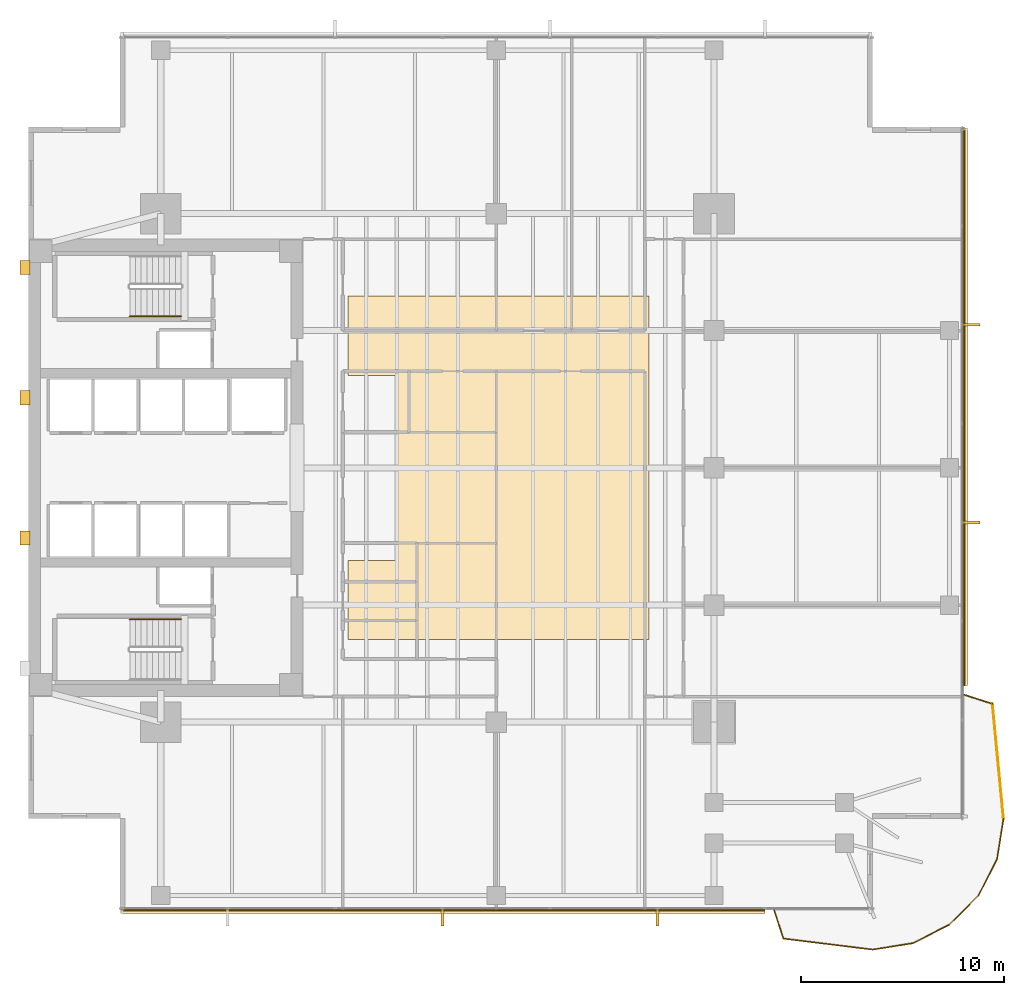
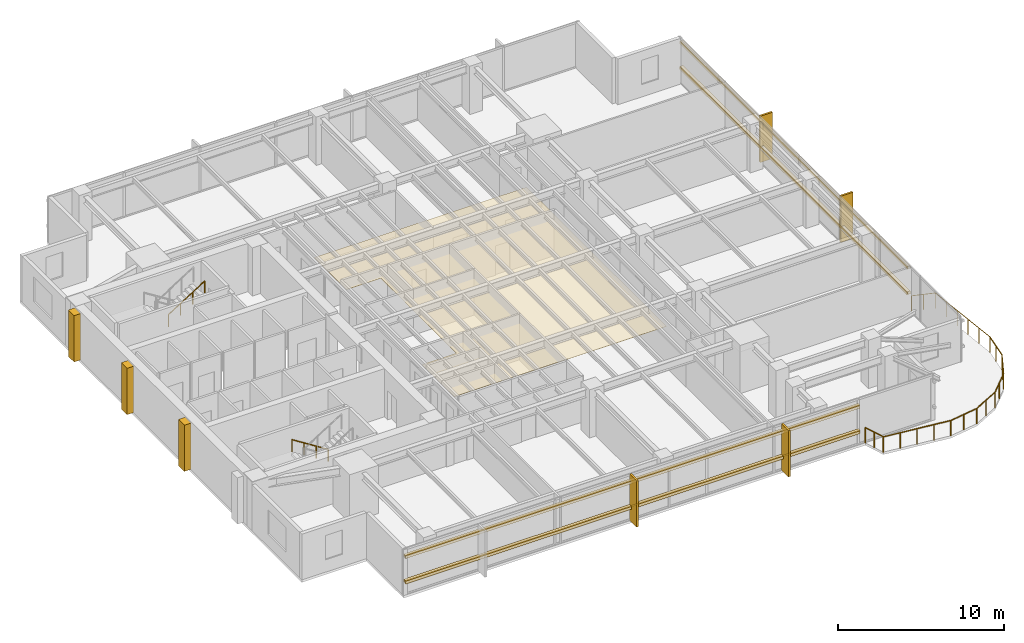
# One storey, part 12 of 14: 12 coverings, 11 railings, 4 shading devices.
"""IFC4 building model written with IfcOpenShell, lengths in metres."""

from ifc_helpers import new_model, si_unit, direction, frame, origin, origin_2d, place, context, subcontext, project, spatial, polyline, rectangle, circle, outline, extrude, material, layer, layer_set, material_profile, profile_set, type_object, element, save


model = new_model("IFC4")

# Units and contexts
model_context = context("Model", 3, precision=1e-05, world=origin(), true_north=direction((0.0, 1.0)))
body_context = subcontext(model_context, "Body", "Model", "MODEL_VIEW")
ifc_project = project(units=[si_unit("LENGTHUNIT", "METRE"), si_unit("AREAUNIT", "SQUARE_METRE"), si_unit("VOLUMEUNIT", "CUBIC_METRE"), si_unit("PLANEANGLEUNIT", "RADIAN"), si_unit("MASSUNIT", "GRAM", prefix="KILO")], contexts=[model_context])

# Site, building, storey
site_placement = place(None, origin())
site = spatial("IfcSite", under=ifc_project, at=site_placement, CompositionType="ELEMENT")
building_placement = place(site_placement, origin())
building = spatial("IfcBuilding", under=site, at=building_placement, Name="Kinhvarn Gate Tower", CompositionType="ELEMENT")
storey_placement = place(building_placement, frame((0.0, 0.0, 151.949951171875)))
storey = spatial("IfcBuildingStorey", under=building, at=storey_placement, Name="L40", CompositionType="ELEMENT", Elevation=151.949951171875)

# Coverings
ifc_material_1 = material(Name="Fired architectural terracotta", Category="masonry")
ifc_layer_1 = layer(ifc_material_1, 0.239990234375)
ifc_layer_set_1 = layer_set([ifc_layer_1], Name="Fired architectural terracotta")
covering_type_1 = type_object("IfcCoveringType", Name="COV-BAG-220", PredefinedType="CLADDING", material=ifc_layer_set_1)
covering_1_placement = place(storey_placement, frame((0.0, 0.0, 0.93994140625)))
element("IfcCovering", 1, at=covering_1_placement, inside=storey, type_object=covering_type_1, Name="Terracotta Horizontal Sunscreen Band TBG-220 (L40)", PredefinedType="CLADDING", context=body_context, shape_type="SweptSolid", body=[
    extrude(outline(polyline([(9.0400390625, 3.570068359375), (40.708984375, 3.570068359375), (40.708984375, 3.330078125), (9.0400390625, 3.330078125), (9.0400390625, 3.570068359375)])), origin(), (0.0, 0.0, 1.0), 0.22021484375),
])
covering_2_placement = place(storey_placement, frame((0.0, 0.0, 2.81005859375)))
element("IfcCovering", 2, at=covering_2_placement, inside=storey, type_object=covering_type_1, Name="Terracotta Horizontal Sunscreen Band TBG-220 (L40)", PredefinedType="CLADDING", context=body_context, shape_type="SweptSolid", body=[
    extrude(outline(polyline([(9.0400390625, 3.570068359375), (40.708984375, 3.570068359375), (40.708984375, 3.330078125), (9.0400390625, 3.330078125), (9.0400390625, 3.570068359375)])), origin(), (0.0, 0.0, 1.0), 0.219970703125),
])
covering_3_placement = place(storey_placement, frame((0.0, 0.0, 0.93994140625)))
element("IfcCovering", 3, at=covering_3_placement, inside=storey, type_object=covering_type_1, Name="Terracotta Horizontal Sunscreen Band TBG-220 (L40)", PredefinedType="CLADDING", context=body_context, shape_type="SweptSolid", body=[
    extrude(outline(polyline([(50.429931640625, 14.549072265625), (50.429931640625, 41.9599609375), (50.669921875, 41.9599609375), (50.669921875, 14.549072265625), (50.429931640625, 14.549072265625)])), origin(), (0.0, 0.0, 1.0), 0.22021484375),
])
covering_4_placement = place(storey_placement, frame((0.0, 0.0, 2.81005859375)))
element("IfcCovering", 4, at=covering_4_placement, inside=storey, type_object=covering_type_1, Name="Terracotta Horizontal Sunscreen Band TBG-220 (L40)", PredefinedType="CLADDING", context=body_context, shape_type="SweptSolid", body=[
    extrude(outline(polyline([(50.429931640625, 14.549072265625), (50.429931640625, 41.9599609375), (50.669921875, 41.9599609375), (50.669921875, 14.549072265625), (50.429931640625, 14.549072265625)])), origin(), (0.0, 0.0, 1.0), 0.219970703125),
])
ifc_material_2 = material(Name="Mineral-fibre acoustic ceiling tile")
ifc_layer_2 = layer(ifc_material_2, 0.02001953125)
ifc_layer_set_2 = layer_set([ifc_layer_2], Name="Mineral-fibre acoustic ceiling tile")
covering_type_2 = type_object("IfcCoveringType", Name="COV-CEIL-20", PredefinedType="CEILING", material=ifc_layer_set_2)
covering_5_placement = place(storey_placement, frame((0.0, 0.0, 2.650146484375)))
element("IfcCovering", 5, at=covering_5_placement, inside=storey, type_object=covering_type_2, Name="Suspended Acoustic Ceiling Tile (L40-1)", PredefinedType="CEILING", context=body_context, shape_type="SweptSolid", body=[
    extrude(outline(polyline([(35.0, 33.699951171875), (35.0, 16.800048828125), (20.199951171875, 16.800048828125), (20.199951171875, 20.699951171875), (22.60009765625, 20.699951171875), (22.60009765625, 29.800048828125), (20.199951171875, 29.800048828125), (20.199951171875, 33.699951171875), (35.0, 33.699951171875)])), origin(), (0.0, 0.0, 1.0), 0.02001953125),
])
ifc_layer_3 = layer(ifc_material_1, 0.139892578125)
ifc_layer_set_3 = layer_set([ifc_layer_3], Name="Fired architectural terracotta")
covering_type_3 = type_object("IfcCoveringType", Name="COV-FIN-850", PredefinedType="CLADDING", material=ifc_layer_set_3)
covering_6_placement = place(storey_placement, frame((0.0, 0.0, -0.02001953125)))
element("IfcCovering", 6, at=covering_6_placement, inside=storey, type_object=covering_type_3, Name="Vertical Terracotta Expressive Fin TFN-850 (L40)", PredefinedType="CLADDING", context=body_context, shape_type="SweptSolid", body=[
    extrude(outline(polyline([(24.787109375, 3.580078125), (24.927001953125, 3.580078125), (24.927001953125, 2.72998046875), (24.787109375, 2.72998046875), (24.787109375, 3.580078125)])), origin(), (0.0, 0.0, 1.0), 3.41015625),
])
covering_7_placement = place(storey_placement, frame((0.0, 0.0, -0.02001953125)))
element("IfcCovering", 7, at=covering_7_placement, inside=storey, type_object=covering_type_3, Name="Vertical Terracotta Expressive Fin TFN-850 (L40)", PredefinedType="CLADDING", context=body_context, shape_type="SweptSolid", body=[
    extrude(outline(polyline([(35.358642578125, 3.580078125), (35.49853515625, 3.580078125), (35.49853515625, 2.72998046875), (35.358642578125, 2.72998046875), (35.358642578125, 3.580078125)])), origin(), (0.0, 0.0, 1.0), 3.41015625),
])
covering_8_placement = place(storey_placement, frame((0.0, 0.0, -0.02001953125)))
element("IfcCovering", 8, at=covering_8_placement, inside=storey, type_object=covering_type_3, Name="Vertical Terracotta Expressive Fin TFN-850 (L40)", PredefinedType="CLADDING", context=body_context, shape_type="SweptSolid", body=[
    extrude(outline(polyline([(50.419921875, 22.50146484375), (50.419921875, 22.641357421875), (51.27001953125, 22.641357421875), (51.27001953125, 22.50146484375), (50.419921875, 22.50146484375)])), origin(), (0.0, 0.0, 1.0), 3.41015625),
])
covering_9_placement = place(storey_placement, frame((0.0, 0.0, -0.02001953125)))
element("IfcCovering", 9, at=covering_9_placement, inside=storey, type_object=covering_type_3, Name="Vertical Terracotta Expressive Fin TFN-850 (L40)", PredefinedType="CLADDING", context=body_context, shape_type="SweptSolid", body=[
    extrude(outline(polyline([(50.419921875, 32.2158203125), (50.419921875, 32.355712890625), (51.27001953125, 32.355712890625), (51.27001953125, 32.2158203125), (50.419921875, 32.2158203125)])), origin(), (0.0, 0.0, 1.0), 3.41015625),
])
ifc_material_3 = material(Name="Precast white architectural concrete C40/50", Category="concrete")
ifc_layer_4 = layer(ifc_material_3, 0.47998046875)
ifc_layer_set_4 = layer_set([ifc_layer_4], Name="Precast white architectural concrete C40/50")
covering_type_4 = type_object("IfcCoveringType", Name="COV-RIB-450", PredefinedType="CLADDING", material=ifc_layer_set_4)
covering_10_placement = place(storey_placement, frame((0.0, 0.0, -0.02001953125)))
element("IfcCovering", 10, at=covering_10_placement, inside=storey, type_object=covering_type_4, Name="West Core Sculptural Concrete Relief Rib CRB-450 (L40)", PredefinedType="CLADDING", context=body_context, shape_type="SweptSolid", body=[
    extrude(outline(polyline([(4.080078125, 21.449951171875), (4.56005859375, 21.449951171875), (4.56005859375, 22.14990234375), (4.080078125, 22.14990234375), (4.080078125, 21.449951171875)])), origin(), (0.0, 0.0, 1.0), 3.41015625),
])
covering_11_placement = place(storey_placement, frame((0.0, 0.0, -0.02001953125)))
element("IfcCovering", 11, at=covering_11_placement, inside=storey, type_object=covering_type_4, Name="West Core Sculptural Concrete Relief Rib CRB-450 (L40)", PredefinedType="CLADDING", context=body_context, shape_type="SweptSolid", body=[
    extrude(outline(polyline([(4.080078125, 28.35009765625), (4.56005859375, 28.35009765625), (4.56005859375, 29.050048828125), (4.080078125, 29.050048828125), (4.080078125, 28.35009765625)])), origin(), (0.0, 0.0, 1.0), 3.41015625),
])
covering_12_placement = place(storey_placement, frame((0.0, 0.0, -0.02001953125)))
element("IfcCovering", 12, at=covering_12_placement, inside=storey, type_object=covering_type_4, Name="West Core Sculptural Concrete Relief Rib CRB-450 (L40)", PredefinedType="CLADDING", context=body_context, shape_type="SweptSolid", body=[
    extrude(outline(polyline([(4.080078125, 34.75), (4.56005859375, 34.75), (4.56005859375, 35.449951171875), (4.080078125, 35.449951171875), (4.080078125, 34.75)])), origin(), (0.0, 0.0, 1.0), 3.41015625),
])

# Railings
ifc_material_4 = material(Name="Clear low-e double glazing", Category="glass")
railing_type_1 = type_object("IfcRailingType", Name="RL-BAL-1150", PredefinedType="BALUSTRADE", material=ifc_material_4)
railing_1_placement = place(storey_placement, frame((41.158935546875, 3.5, 0.0)))
element("IfcRailing", 13, at=railing_1_placement, inside=storey, type_object=railing_type_1, Name="S-Carve Balcony Guardrail Seg 1 (L40)", PredefinedType="BALUSTRADE", context=body_context, shape_type="SweptSolid", body=[
    extrude(circle(Radius=0.02392578125, at=origin_2d()), frame((0.0, 0.0, 1.1259765625), z_axis=(0.307066063569, -0.951688201358, 0.0), x_axis=(0.951688201358, 0.307066063569, 0.0)), (0.0, 0.0, 1.0), 1.46533203125),
    extrude(circle(Radius=0.02099609375, at=origin_2d()), origin(), (0.0, 0.0, 1.0), 1.101806640625),
    extrude(circle(Radius=0.02099609375, at=origin_2d()), frame((0.22509765625, -0.697265625, 0.0)), (0.0, 0.0, 1.0), 1.101806640625),
    extrude(circle(Radius=0.02099609375, at=origin_2d()), frame((0.449951171875, -1.39453125, 0.0)), (0.0, 0.0, 1.0), 1.101806640625),
])
railing_2_placement = place(storey_placement, frame((41.60888671875, 2.10546875, 0.0)))
element("IfcRailing", 14, at=railing_2_placement, inside=storey, type_object=railing_type_1, Name="S-Carve Balcony Guardrail Seg 2 (L40)", PredefinedType="BALUSTRADE", context=body_context, shape_type="SweptSolid", body=[
    extrude(circle(Radius=0.02392578125, at=origin_2d()), frame((0.0, 0.0, 1.1259765625), z_axis=(0.992455123441, -0.122608433464, 0.0), x_axis=(0.122608433464, 0.992455123441, 0.0)), (0.0, 0.0, 1.0), 4.424560546875),
    extrude(circle(Radius=0.02099609375, at=origin_2d()), origin(), (0.0, 0.0, 1.0), 1.101806640625),
    extrude(circle(Radius=0.02099609375, at=origin_2d()), frame((1.09765625, -0.1357421875, 0.0)), (0.0, 0.0, 1.0), 1.101806640625),
    extrude(circle(Radius=0.02099609375, at=origin_2d()), frame((2.195556640625, -0.271240234375, 0.0)), (0.0, 0.0, 1.0), 1.101806640625),
    extrude(circle(Radius=0.02099609375, at=origin_2d()), frame((3.29345703125, -0.40673828125, 0.0)), (0.0, 0.0, 1.0), 1.101806640625),
    extrude(circle(Radius=0.02099609375, at=origin_2d()), frame((4.39111328125, -0.54248046875, 0.0)), (0.0, 0.0, 1.0), 1.101806640625),
])
railing_3_placement = place(storey_placement, frame((46.0, 1.56298828125, 0.0)))
element("IfcRailing", 15, at=railing_3_placement, inside=storey, type_object=railing_type_1, Name="S-Carve Balcony Guardrail Seg 3 (L40)", PredefinedType="BALUSTRADE", context=body_context, shape_type="SweptSolid", body=[
    extrude(circle(Radius=0.02392578125, at=origin_2d()), frame((0.0, 0.0, 1.1259765625), z_axis=(0.987695046303, 0.156392120993, 0.0), x_axis=(-0.156392120993, 0.987695046303, 0.0)), (0.0, 0.0, 1.0), 2.013671875),
    extrude(circle(Radius=0.02099609375, at=origin_2d()), origin(), (0.0, 0.0, 1.0), 1.101806640625),
    extrude(circle(Radius=0.02099609375, at=origin_2d()), frame((0.99462890625, 0.157470703125, 0.0)), (0.0, 0.0, 1.0), 1.101806640625),
    extrude(circle(Radius=0.02099609375, at=origin_2d()), frame((1.989013671875, 0.31494140625, 0.0)), (0.0, 0.0, 1.0), 1.101806640625),
])
railing_4_placement = place(storey_placement, frame((47.989013671875, 1.8779296875, 0.0)))
element("IfcRailing", 16, at=railing_4_placement, inside=storey, type_object=railing_type_1, Name="S-Carve Balcony Guardrail Seg 4 (L40)", PredefinedType="BALUSTRADE", context=body_context, shape_type="SweptSolid", body=[
    extrude(circle(Radius=0.02392578125, at=origin_2d()), frame((0.0, 0.0, 1.1259765625), z_axis=(0.890983066635, 0.454036534841, 0.0), x_axis=(-0.454036534841, 0.890983066635, 0.0)), (0.0, 0.0, 1.0), 2.01416015625),
    extrude(circle(Radius=0.02099609375, at=origin_2d()), origin(), (0.0, 0.0, 1.0), 1.101806640625),
    extrude(circle(Radius=0.02099609375, at=origin_2d()), frame((0.8974609375, 0.457275390625, 0.0)), (0.0, 0.0, 1.0), 1.101806640625),
    extrude(circle(Radius=0.02099609375, at=origin_2d()), frame((1.794677734375, 0.91455078125, 0.0)), (0.0, 0.0, 1.0), 1.101806640625),
])
railing_5_placement = place(storey_placement, frame((49.78369140625, 2.79248046875, 0.0)))
element("IfcRailing", 17, at=railing_5_placement, inside=storey, type_object=railing_type_1, Name="S-Carve Balcony Guardrail Seg 5 (L40)", PredefinedType="BALUSTRADE", context=body_context, shape_type="SweptSolid", body=[
    extrude(circle(Radius=0.02392578125, at=origin_2d()), frame((0.0, 0.0, 1.1259765625), z_axis=(0.707106781187, 0.707106781187, 0.0), x_axis=(-0.707106781187, 0.707106781187, 0.0)), (0.0, 0.0, 1.0), 2.013671875),
    extrude(circle(Radius=0.02099609375, at=origin_2d()), origin(), (0.0, 0.0, 1.0), 1.101806640625),
    extrude(circle(Radius=0.02099609375, at=origin_2d()), frame((0.7119140625, 0.7119140625, 0.0)), (0.0, 0.0, 1.0), 1.101806640625),
    extrude(circle(Radius=0.02099609375, at=origin_2d()), frame((1.423828125, 1.423828125, 0.0)), (0.0, 0.0, 1.0), 1.101806640625),
])
railing_6_placement = place(storey_placement, frame((51.20751953125, 4.21630859375, 0.0)))
element("IfcRailing", 18, at=railing_6_placement, inside=storey, type_object=railing_type_1, Name="S-Carve Balcony Guardrail Seg 6 (L40)", PredefinedType="BALUSTRADE", context=body_context, shape_type="SweptSolid", body=[
    extrude(circle(Radius=0.02392578125, at=origin_2d()), frame((0.0, 0.0, 1.1259765625), z_axis=(0.454036534841, 0.890983066635, 0.0), x_axis=(-0.890983066635, 0.454036534841, 0.0)), (0.0, 0.0, 1.0), 2.01416015625),
    extrude(circle(Radius=0.02099609375, at=origin_2d()), origin(), (0.0, 0.0, 1.0), 1.101806640625),
    extrude(circle(Radius=0.02099609375, at=origin_2d()), frame((0.457275390625, 0.8974609375, 0.0)), (0.0, 0.0, 1.0), 1.101806640625),
    extrude(circle(Radius=0.02099609375, at=origin_2d()), frame((0.91455078125, 1.794677734375, 0.0)), (0.0, 0.0, 1.0), 1.101806640625),
])
railing_7_placement = place(storey_placement, frame((52.1220703125, 6.010986328125, 0.0)))
element("IfcRailing", 19, at=railing_7_placement, inside=storey, type_object=railing_type_1, Name="S-Carve Balcony Guardrail Seg 7 (L40)", PredefinedType="BALUSTRADE", context=body_context, shape_type="SweptSolid", body=[
    extrude(circle(Radius=0.02392578125, at=origin_2d()), frame((0.0, 0.0, 1.1259765625), z_axis=(0.156392120993, 0.987695046303, 0.0), x_axis=(-0.987695046303, 0.156392120993, 0.0)), (0.0, 0.0, 1.0), 2.013671875),
    extrude(circle(Radius=0.02099609375, at=origin_2d()), origin(), (0.0, 0.0, 1.0), 1.101806640625),
    extrude(circle(Radius=0.02099609375, at=origin_2d()), frame((0.157470703125, 0.99462890625, 0.0)), (0.0, 0.0, 1.0), 1.101806640625),
    extrude(circle(Radius=0.02099609375, at=origin_2d()), frame((0.31494140625, 1.989013671875, 0.0)), (0.0, 0.0, 1.0), 1.101806640625),
])
railing_8_placement = place(storey_placement, frame((52.43701171875, 8.0, 0.0)))
element("IfcRailing", 20, at=railing_8_placement, inside=storey, type_object=railing_type_1, Name="S-Carve Balcony Guardrail Seg 8 (L40)", PredefinedType="BALUSTRADE", context=body_context, shape_type="SweptSolid", body=[
    extrude(circle(Radius=0.02392578125, at=origin_2d()), frame((0.0, 0.0, 1.1259765625), z_axis=(-0.095592722684, 0.995420529912, 0.0), x_axis=(-0.995420529912, -0.095592722684, 0.0)), (0.0, 0.0, 1.0), 5.6748046875),
    extrude(circle(Radius=0.02099609375, at=origin_2d()), origin(), (0.0, 0.0, 1.0), 1.101806640625),
    extrude(circle(Radius=0.02099609375, at=origin_2d()), frame((-0.1083984375, 1.1298828125, 0.0)), (0.0, 0.0, 1.0), 1.101806640625),
    extrude(circle(Radius=0.02099609375, at=origin_2d()), frame((-0.217041015625, 2.259521484375, 0.0)), (0.0, 0.0, 1.0), 1.101806640625),
    extrude(circle(Radius=0.02099609375, at=origin_2d()), frame((-0.325439453125, 3.389404296875, 0.0)), (0.0, 0.0, 1.0), 1.101806640625),
    extrude(circle(Radius=0.02099609375, at=origin_2d()), frame((-0.43408203125, 4.51904296875, 0.0)), (0.0, 0.0, 1.0), 1.101806640625),
    extrude(circle(Radius=0.02099609375, at=origin_2d()), frame((-0.54248046875, 5.64892578125, 0.0)), (0.0, 0.0, 1.0), 1.101806640625),
])
railing_9_placement = place(storey_placement, frame((51.89453125, 13.64892578125, 0.0)))
element("IfcRailing", 21, at=railing_9_placement, inside=storey, type_object=railing_type_1, Name="S-Carve Balcony Guardrail Seg 9 (L40)", PredefinedType="BALUSTRADE", context=body_context, shape_type="SweptSolid", body=[
    extrude(circle(Radius=0.02392578125, at=origin_2d()), frame((0.0, 0.0, 1.1259765625), z_axis=(-0.951639502648, 0.307216954286, 0.0), x_axis=(-0.307216954286, -0.951639502648, 0.0)), (0.0, 0.0, 1.0), 1.46533203125),
    extrude(circle(Radius=0.02099609375, at=origin_2d()), origin(), (0.0, 0.0, 1.0), 1.101806640625),
    extrude(circle(Radius=0.02099609375, at=origin_2d()), frame((-0.697265625, 0.22509765625, 0.0)), (0.0, 0.0, 1.0), 1.101806640625),
    extrude(circle(Radius=0.02099609375, at=origin_2d()), frame((-1.39453125, 0.4501953125, 0.0)), (0.0, 0.0, 1.0), 1.101806640625),
])
ifc_material_5 = material(Name="Steel S355", Category="steel")
railing_type_2 = type_object("IfcRailingType", Name="RL-ST-HND", PredefinedType="HANDRAIL", material=ifc_material_5)
railing_10_placement = place(storey_placement, frame((12.0, 17.800048828125, 0.177490234375)))
element("IfcRailing", 22, at=railing_10_placement, inside=storey, type_object=railing_type_2, Name="L40 ST1 stair handrail 1", PredefinedType="HANDRAIL", context=body_context, shape_type="SweptSolid", body=[
    extrude(circle(Radius=0.02392578125, at=origin_2d()), frame((0.0, 0.0, 0.8759765625), z_axis=(-0.84456994832, 0.0, 0.535445237532), x_axis=(0.0, -1.0, 0.0)), (0.0, 0.0, 1.0), 2.98388671875),
    extrude(circle(Radius=0.02099609375, at=origin_2d()), origin(), (0.0, 0.0, 1.0), 0.851806640625),
    extrude(circle(Radius=0.02099609375, at=origin_2d()), frame((-0.840087890625, 0.0, 0.532470703125)), (0.0, 0.0, 1.0), 0.851806640625),
    extrude(circle(Radius=0.02099609375, at=origin_2d()), frame((-1.679931640625, 0.0, 1.065185546875)), (0.0, 0.0, 1.0), 0.851806640625),
    extrude(circle(Radius=0.02099609375, at=origin_2d()), frame((-2.52001953125, 0.0, 1.59765625)), (0.0, 0.0, 1.0), 0.851806640625),
])
railing_11_placement = place(storey_placement, frame((9.47998046875, 32.699951171875, 1.95263671875)))
element("IfcRailing", 23, at=railing_11_placement, inside=storey, type_object=railing_type_2, Name="L40 ST2 stair handrail 2", PredefinedType="HANDRAIL", context=body_context, shape_type="SweptSolid", body=[
    extrude(circle(Radius=0.02392578125, at=origin_2d()), frame((0.0, 0.0, 0.8759765625), z_axis=(0.84460694969, 0.0, 0.535386869969), x_axis=(0.0, 1.0, 0.0)), (0.0, 0.0, 1.0), 2.983642578125),
    extrude(circle(Radius=0.02099609375, at=origin_2d()), origin(), (0.0, 0.0, 1.0), 0.851806640625),
    extrude(circle(Radius=0.02099609375, at=origin_2d()), frame((0.840087890625, 0.0, 0.532470703125)), (0.0, 0.0, 1.0), 0.851806640625),
    extrude(circle(Radius=0.02099609375, at=origin_2d()), frame((1.679931640625, 0.0, 1.06494140625)), (0.0, 0.0, 1.0), 0.851806640625),
    extrude(circle(Radius=0.02099609375, at=origin_2d()), frame((2.52001953125, 0.0, 1.597412109375)), (0.0, 0.0, 1.0), 0.851806640625),
])

# Shading devices
ifc_material_profile = material_profile(ifc_material_1, rectangle(XDim=0.050048828125, YDim=0.1201171875, at=origin_2d()), Name="TC 50x120")
ifc_profile_set = profile_set([ifc_material_profile], Name="Fired architectural terracotta")
shading_device_type = type_object("IfcShadingDeviceType", Name="SHD-BAG-140", PredefinedType="USERDEFINED", material=ifc_profile_set)
for number, where, z_axis, x_axis, name in (
    (24, (9.0400390625, 3.5, 1.050048828125), (1.0, 0.0, 0.0), (0.0, 1.0, 0.0), "Upper Tower Terracotta Baguette Screen Rod 50x120 mm (L40)"),
    (25, (9.0400390625, 3.5, 2.920166015625), (1.0, 0.0, 0.0), (0.0, 1.0, 0.0), "Upper Tower Terracotta Baguette Screen Rod 50x120 mm (L40)"),
):
    element("IfcShadingDevice", number, at=place(storey_placement, frame(where, z_axis=z_axis, x_axis=x_axis)), inside=storey, type_object=shading_device_type, Name=name, ObjectType="BAGUETTE", PredefinedType="USERDEFINED", context=body_context, shape_type="SweptSolid", body=[
        extrude(rectangle(XDim=0.050048828125, YDim=0.1201171875, at=origin_2d()), origin(), (0.0, 0.0, 1.0), 31.6689453125),
    ])
for number, where, z_axis, x_axis, name in (
    (26, (50.5, 14.549072265625, 1.050048828125), (0.0, 1.0, 0.0), (-1.0, 0.0, 0.0), "Upper Tower Terracotta Baguette Screen Rod 50x120 mm (L40)"),
    (27, (50.5, 14.549072265625, 2.920166015625), (0.0, 1.0, 0.0), (-1.0, 0.0, 0.0), "Upper Tower Terracotta Baguette Screen Rod 50x120 mm (L40)"),
):
    element("IfcShadingDevice", number, at=place(storey_placement, frame(where, z_axis=z_axis, x_axis=x_axis)), inside=storey, type_object=shading_device_type, Name=name, ObjectType="BAGUETTE", PredefinedType="USERDEFINED", context=body_context, shape_type="SweptSolid", body=[
        extrude(rectangle(XDim=0.050048828125, YDim=0.1201171875, at=origin_2d()), origin(), (0.0, 0.0, 1.0), 27.410888671875),
    ])

save(model, "model.ifc")
